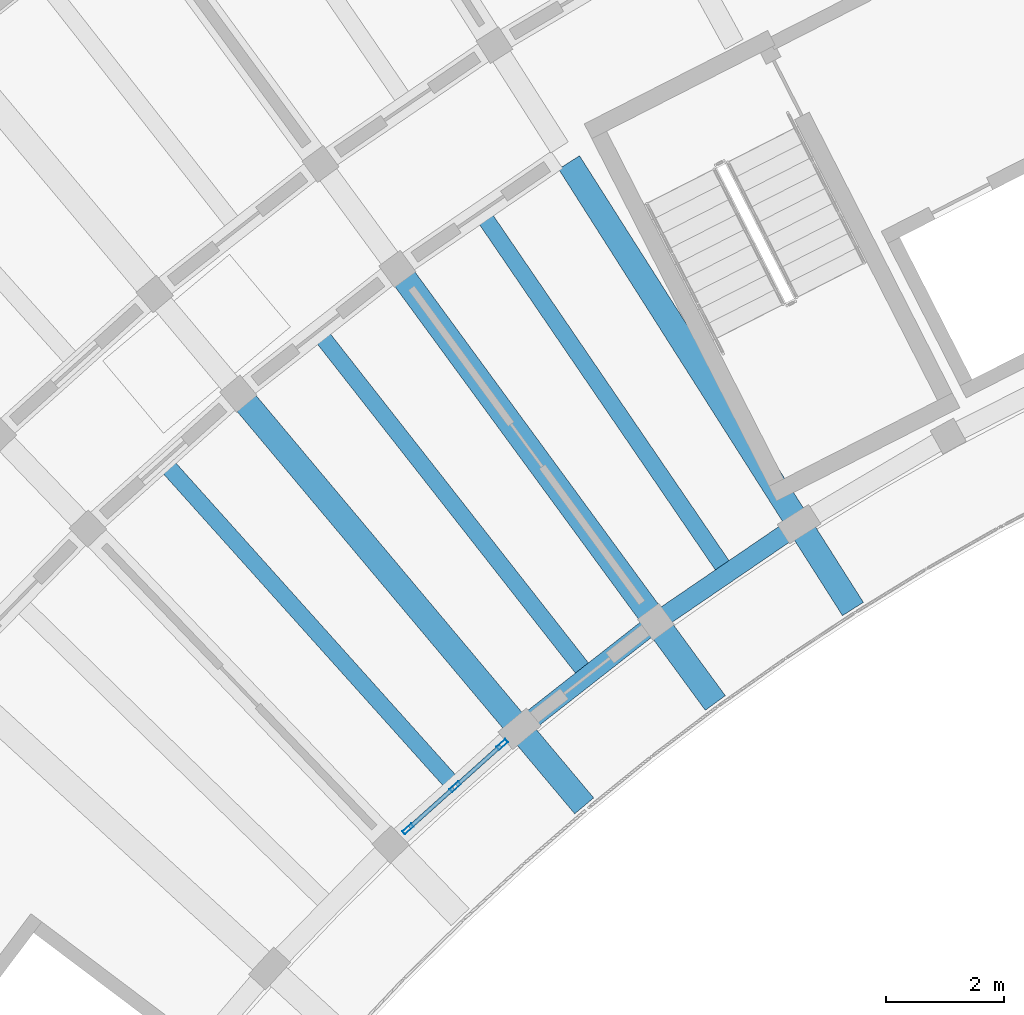
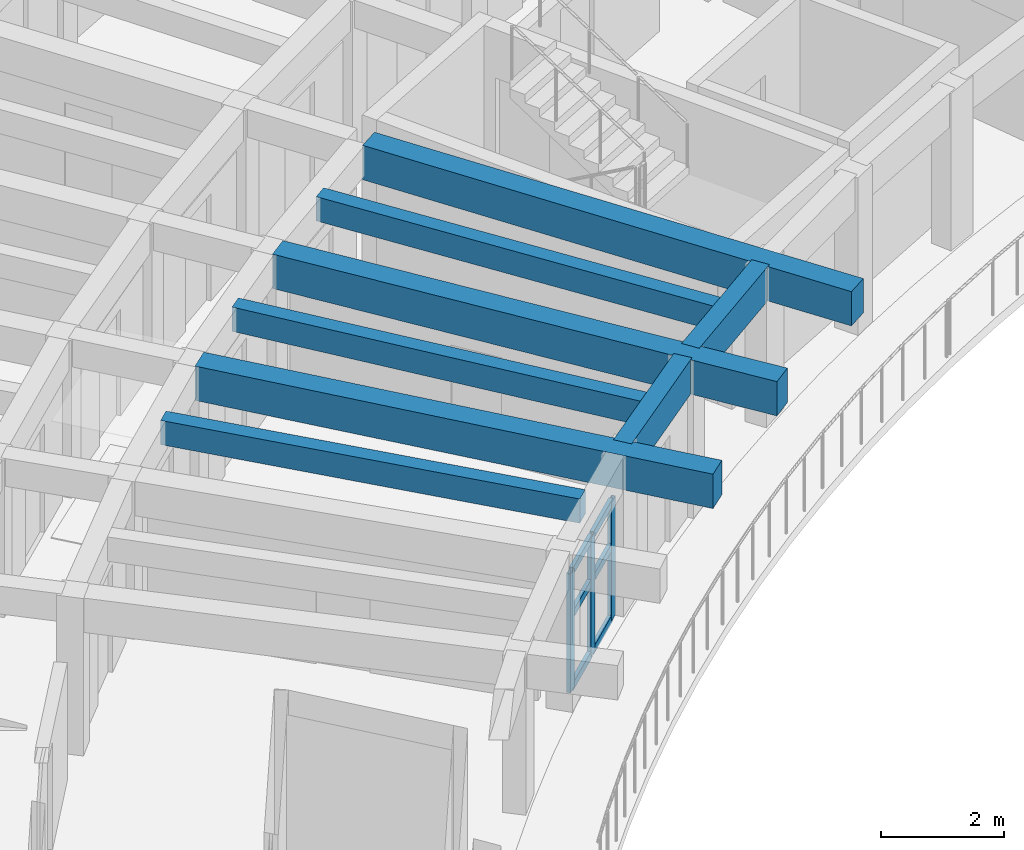
# One storey, part 5 of 36: 9 members, 8 beams, 1 element without a shape of its own.
"""IFC4 building model written with IfcOpenShell, lengths in metres."""

from ifc_helpers import new_model, si_unit, direction, frame, origin, origin_2d, place, context, subcontext, project, spatial, rectangle, hollow_rectangle, extrude, material, material_profile, profile_set, type_object, element, aggregate, save


model = new_model("IFC4")

# Units and contexts
model_context = context("Model", 3, precision=1e-05, world=origin(), true_north=direction((0.0, 1.0)))
body_context = subcontext(model_context, "Body", "Model", "MODEL_VIEW")
ifc_project = project(units=[si_unit("LENGTHUNIT", "METRE"), si_unit("AREAUNIT", "SQUARE_METRE"), si_unit("VOLUMEUNIT", "CUBIC_METRE"), si_unit("PLANEANGLEUNIT", "RADIAN"), si_unit("MASSUNIT", "GRAM", prefix="KILO")], contexts=[model_context])

# Site, building, storey
site_placement = place(None, origin())
site = spatial("IfcSite", under=ifc_project, at=site_placement, CompositionType="ELEMENT")
building_placement = place(site_placement, origin())
building = spatial("IfcBuilding", under=site, at=building_placement, Name="Tanwirah Colonnade Gardens", CompositionType="ELEMENT")
storey_placement = place(building_placement, frame((0.0, 0.0, 39.080078125)))
storey = spatial("IfcBuildingStorey", under=building, at=storey_placement, Name="L11", CompositionType="ELEMENT", Elevation=39.080078125)

# Beams
ifc_material_1 = material(Name="Precast concrete C45/55", Category="concrete")
ifc_material_profile_1 = material_profile(ifc_material_1, rectangle(XDim=0.419921875, YDim=0.679931640625, at=origin_2d()), Name="PC-BM 420x680")
ifc_profile_set_1 = profile_set([ifc_material_profile_1], Name="Precast concrete C45/55")
beam_type_1 = type_object("IfcBeamType", Name="BM-PC420", PredefinedType="BEAM", material=ifc_profile_set_1)
for number, where, z_axis, x_axis, name in (
    (1, (37.263916015625, 103.830322265625, 2.780029296875), (0.536483588607, -0.843910753075, 0.0), (0.843910753075, 0.536483588607, 0.0), "Block A L11 Inner Radial Precast Girder 7"),
    (2, (34.449462890625, 101.907958984375, 2.780029296875), (0.590927205009, -0.806724883947, 0.0), (0.806724883947, 0.590927205009, 0.0), "Block A L11 Inner Radial Precast Girder 8"),
    (3, (31.767822265625, 99.804443359375, 2.780029296875), (0.64279407932, -0.766039014406, 0.0), (0.766039014406, 0.64279407932, 0.0), "Block A L11 Inner Radial Precast Girder 9"),
):
    element("IfcBeam", number, at=place(storey_placement, frame(where, z_axis=z_axis, x_axis=x_axis)), inside=storey, type_object=beam_type_1, Name=name, PredefinedType="BEAM", context=body_context, shape_type="SweptSolid", body=[
        extrude(rectangle(XDim=0.419921875, YDim=0.679931640625, at=origin_2d()), origin(), (0.0, 0.0, 1.0), 8.949951171875),
    ])

# Curtain wall, members
ifc_material_2 = material(Name="Bronze-anodised aluminium and solar-control low-E glass", Category="aluminium")
curtain_wall_type = type_object("IfcCurtainWallType", Name="CW-GDN", PredefinedType="NOTDEFINED", material=ifc_material_2)
curtain_wall_placement = place(storey_placement, origin())
curtain_wall = element("IfcCurtainWall", 4, at=curtain_wall_placement, inside=storey, type_object=curtain_wall_type, Name="Curtain Wall CW-A-L11-IN-09", PredefinedType="NOTDEFINED")
ifc_material_3 = material(Name="Bronze-anodised aluminium", Category="aluminium")
ifc_material_profile_2 = material_profile(ifc_material_3, hollow_rectangle(XDim=0.070068359375, YDim=0.199951171875, WallThickness=0.00390625, at=origin_2d()), Name="CW-MUL 70x200x4")
ifc_profile_set_2 = profile_set([ifc_material_profile_2], Name="Bronze-anodised aluminium")
member_type_1 = type_object("IfcMemberType", Name="CWM-70x200", PredefinedType="MULLION", material=ifc_profile_set_2)
member_1_placement = place(storey_placement, frame((36.134033203125, 93.987060546875, 0.0), z_axis=(0.0, 0.0, 1.0), x_axis=(0.667689182798, -0.744440162253, 0.0)))
member_1 = element("IfcMember", 5, at=member_1_placement, type_object=member_type_1, Name="CW-GDN mullion 1", PredefinedType="MULLION", context=body_context, shape_type="SweptSolid", body=[
    extrude(hollow_rectangle(XDim=0.070068359375, YDim=0.199951171875, WallThickness=0.00390625, at=origin_2d()), origin(), (0.0, 0.0, 1.0), 2.35498046875),
])
member_2_placement = place(storey_placement, frame((35.33740234375, 93.2724609375, 0.0), z_axis=(0.0, 0.0, 1.0), x_axis=(0.667689182798, -0.744440162253, 0.0)))
member_2 = element("IfcMember", 6, at=member_2_placement, type_object=member_type_1, Name="CW-GDN mullion 2", PredefinedType="MULLION", context=body_context, shape_type="SweptSolid", body=[
    extrude(hollow_rectangle(XDim=0.070068359375, YDim=0.199951171875, WallThickness=0.00390625, at=origin_2d()), origin(), (0.0, 0.0, 1.0), 2.35498046875),
])
member_3_placement = place(storey_placement, frame((34.540771484375, 92.557861328125, 0.0), z_axis=(0.0, 0.0, 1.0), x_axis=(0.667689182798, -0.744440162253, 0.0)))
member_3 = element("IfcMember", 7, at=member_3_placement, type_object=member_type_1, Name="CW-GDN mullion 3", PredefinedType="MULLION", context=body_context, shape_type="SweptSolid", body=[
    extrude(hollow_rectangle(XDim=0.070068359375, YDim=0.199951171875, WallThickness=0.00390625, at=origin_2d()), origin(), (0.0, 0.0, 1.0), 2.35498046875),
])
ifc_material_profile_3 = material_profile(ifc_material_3, hollow_rectangle(XDim=0.070068359375, YDim=0.14990234375, WallThickness=0.00390625, at=origin_2d()), Name="CW-TRN 70x150x4")
ifc_profile_set_3 = profile_set([ifc_material_profile_3], Name="Bronze-anodised aluminium")
member_type_2 = type_object("IfcMemberType", Name="CWT-70x150", PredefinedType="USERDEFINED", material=ifc_profile_set_3)
member_4_placement = place(storey_placement, frame((36.10791015625, 93.963623046875, 0.034912109375), z_axis=(-0.744397854763, -0.667736350534, 0.0), x_axis=(0.667736350534, -0.744397854763, 0.0)))
member_4 = element("IfcMember", 8, at=member_4_placement, type_object=member_type_2, Name="CW-GDN transom 1.1", ObjectType="TRANSOM", PredefinedType="USERDEFINED", context=body_context, shape_type="SweptSolid", body=[
    extrude(hollow_rectangle(XDim=0.070068359375, YDim=0.14990234375, WallThickness=0.00390625, at=origin_2d()), origin(), (0.0, 0.0, 1.0), 1.0),
])
member_5_placement = place(storey_placement, frame((36.10791015625, 93.963623046875, 1.4599609375), z_axis=(-0.744397854763, -0.667736350534, 0.0), x_axis=(0.667736350534, -0.744397854763, 0.0)))
member_5 = element("IfcMember", 9, at=member_5_placement, type_object=member_type_2, Name="CW-GDN transom 1.2", ObjectType="TRANSOM", PredefinedType="USERDEFINED", context=body_context, shape_type="SweptSolid", body=[
    extrude(hollow_rectangle(XDim=0.070068359375, YDim=0.14990234375, WallThickness=0.00390625, at=origin_2d()), origin(), (0.0, 0.0, 1.0), 1.0),
])
member_6_placement = place(storey_placement, frame((36.10791015625, 93.963623046875, 2.31982421875), z_axis=(-0.744397854763, -0.667736350534, 0.0), x_axis=(0.667736350534, -0.744397854763, 0.0)))
member_6 = element("IfcMember", 10, at=member_6_placement, type_object=member_type_2, Name="CW-GDN transom 1.3", ObjectType="TRANSOM", PredefinedType="USERDEFINED", context=body_context, shape_type="SweptSolid", body=[
    extrude(hollow_rectangle(XDim=0.070068359375, YDim=0.14990234375, WallThickness=0.00390625, at=origin_2d()), origin(), (0.0, 0.0, 1.0), 1.0),
])
member_7_placement = place(storey_placement, frame((35.311279296875, 93.2490234375, 0.034912109375), z_axis=(-0.744397854763, -0.667736350534, 0.0), x_axis=(0.667736350534, -0.744397854763, 0.0)))
member_7 = element("IfcMember", 11, at=member_7_placement, type_object=member_type_2, Name="CW-GDN transom 2.1", ObjectType="TRANSOM", PredefinedType="USERDEFINED", context=body_context, shape_type="SweptSolid", body=[
    extrude(hollow_rectangle(XDim=0.070068359375, YDim=0.14990234375, WallThickness=0.00390625, at=origin_2d()), origin(), (0.0, 0.0, 1.0), 1.0),
])
member_8_placement = place(storey_placement, frame((35.311279296875, 93.2490234375, 1.4599609375), z_axis=(-0.744397854763, -0.667736350534, 0.0), x_axis=(0.667736350534, -0.744397854763, 0.0)))
member_8 = element("IfcMember", 12, at=member_8_placement, type_object=member_type_2, Name="CW-GDN transom 2.2", ObjectType="TRANSOM", PredefinedType="USERDEFINED", context=body_context, shape_type="SweptSolid", body=[
    extrude(hollow_rectangle(XDim=0.070068359375, YDim=0.14990234375, WallThickness=0.00390625, at=origin_2d()), origin(), (0.0, 0.0, 1.0), 1.0),
])
member_9_placement = place(storey_placement, frame((35.311279296875, 93.2490234375, 2.31982421875), z_axis=(-0.744397854763, -0.667736350534, 0.0), x_axis=(0.667736350534, -0.744397854763, 0.0)))
member_9 = element("IfcMember", 13, at=member_9_placement, type_object=member_type_2, Name="CW-GDN transom 2.3", ObjectType="TRANSOM", PredefinedType="USERDEFINED", context=body_context, shape_type="SweptSolid", body=[
    extrude(hollow_rectangle(XDim=0.070068359375, YDim=0.14990234375, WallThickness=0.00390625, at=origin_2d()), origin(), (0.0, 0.0, 1.0), 1.0),
])
aggregate(curtain_wall, [member_1, member_2, member_3, member_4, member_5, member_6, member_7, member_8, member_9])

# Beams
ifc_material_4 = material(Name="Precast concrete C40/50", Category="concrete")
ifc_material_profile_4 = material_profile(ifc_material_4, rectangle(XDim=0.280029296875, YDim=0.47998046875, at=origin_2d()), Name="PC-JST 280x480")
ifc_profile_set_4 = profile_set([ifc_material_profile_4], Name="Precast concrete C40/50")
beam_type_2 = type_object("IfcBeamType", Name="JST-PC280", PredefinedType="JOIST", material=ifc_profile_set_4)
for number, where, z_axis, x_axis, name in (
    (14, (39.8623046875, 97.004638671875, 2.8798828125), (-0.564021195806, 0.825760310672, 0.0), (-0.825760310672, -0.564021195806, 0.0), "Block A L11 Inner Precast Floor Joist 7"),
    (15, (37.491943359375, 95.268310546875, 2.8798828125), (-0.617202438917, 0.786804390808, 0.0), (-0.786804390808, -0.617202438917, 0.0), "Block A L11 Inner Precast Floor Joist 8"),
):
    element("IfcBeam", number, at=place(storey_placement, frame(where, z_axis=z_axis, x_axis=x_axis)), inside=storey, type_object=beam_type_2, Name=name, PredefinedType="JOIST", context=body_context, shape_type="SweptSolid", body=[
        extrude(rectangle(XDim=0.280029296875, YDim=0.47998046875, at=origin_2d()), origin(), (0.0, 0.0, 1.0), 7.159912109375),
    ])
beam_placement = place(storey_placement, frame((35.2412109375, 93.379638671875, 2.8798828125), z_axis=(-0.667688404274, 0.744440860511, 0.0), x_axis=(-0.744440860511, -0.667688404274, 0.0)))
element("IfcBeam", 16, at=beam_placement, inside=storey, type_object=beam_type_2, Name="Block A L11 Inner Precast Floor Joist 9", PredefinedType="JOIST", context=body_context, shape_type="SweptSolid", body=[
    extrude(rectangle(XDim=0.280029296875, YDim=0.47998046875, at=origin_2d()), origin(), (0.0, 0.0, 1.0), 7.16015625),
])
ifc_material_profile_5 = material_profile(ifc_material_1, rectangle(XDim=0.320068359375, YDim=0.679931640625, at=origin_2d()), Name="PC-SP 320x680")
ifc_profile_set_5 = profile_set([ifc_material_profile_5], Name="Precast concrete C45/55")
beam_type_3 = type_object("IfcBeamType", Name="SP-PC320", PredefinedType="SPANDREL", material=ifc_profile_set_5)
for number, where, z_axis, x_axis, name in (
    (17, (41.029541015625, 97.627197265625, 2.780029296875), (-0.825800981874, -0.563961646158, 0.0), (0.563961646158, -0.825800981874, 0.0), "Block A L11 Circumferential Beam 7-R0"),
    (18, (38.61572265625, 95.966552734375, 2.780029296875), (-0.786836625031, -0.617161344795, 0.0), (0.617161344795, -0.786836625031, 0.0), "Block A L11 Circumferential Beam 8-R0"),
):
    element("IfcBeam", number, at=place(storey_placement, frame(where, z_axis=z_axis, x_axis=x_axis)), inside=storey, type_object=beam_type_3, Name=name, PredefinedType="SPANDREL", context=body_context, shape_type="SweptSolid", body=[
        extrude(rectangle(XDim=0.320068359375, YDim=0.679931640625, at=origin_2d()), origin(), (0.0, 0.0, 1.0), 2.63037109375),
    ])

save(model, "model.ifc")
